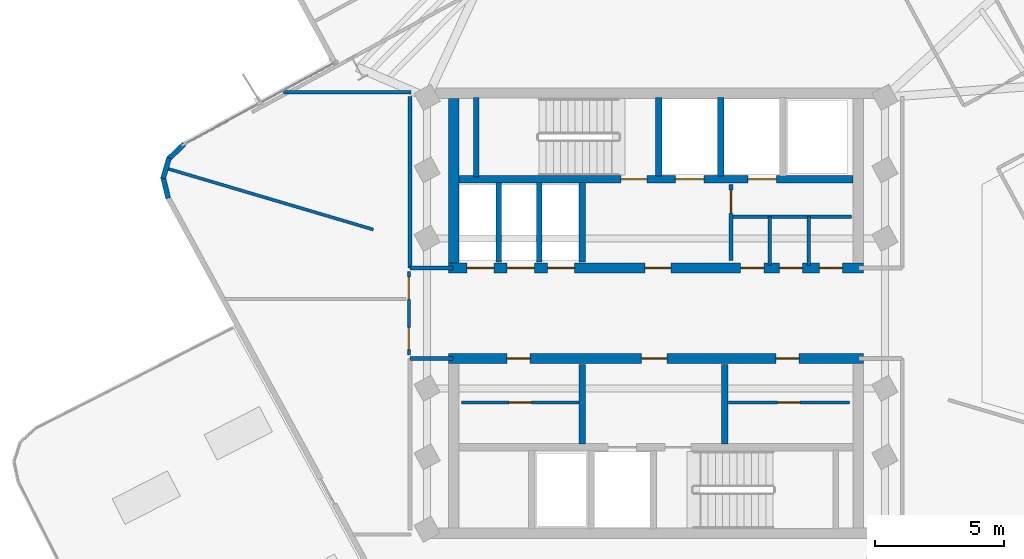
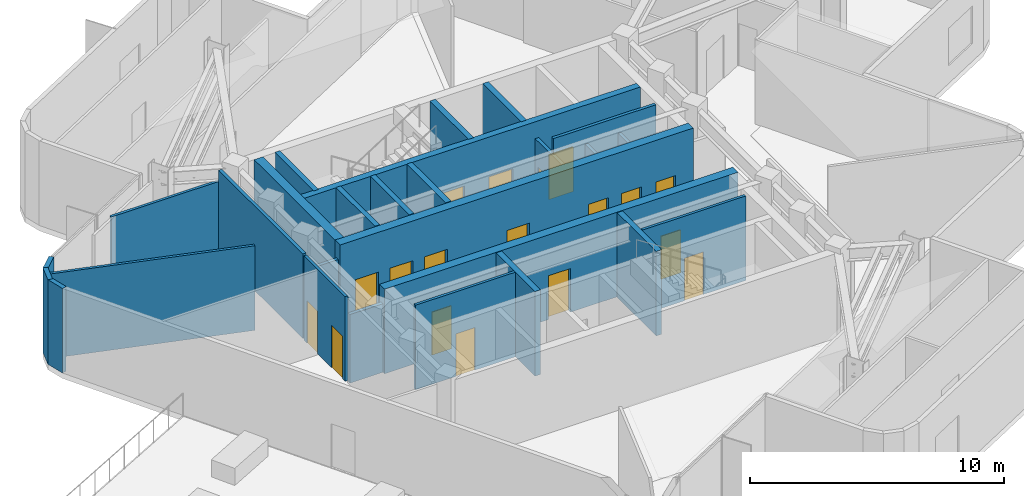
# One storey, part 4 of 10: 27 walls, 18 doors, 18 openings.
"""IFC4 building model written with IfcOpenShell, lengths in metres."""

from ifc_helpers import new_model, si_unit, direction, frame, frame_2d, origin, place, context, subcontext, project, spatial, rectangle, extrude, material, layer, layer_set, type_object, element, fill, save


model = new_model("IFC4")

# Units and contexts
model_context = context("Model", 3, precision=1e-05, world=origin(), true_north=direction((0.0, 1.0)))
body_context = subcontext(model_context, "Body", "Model", "MODEL_VIEW")
ifc_project = project(units=[si_unit("LENGTHUNIT", "METRE"), si_unit("AREAUNIT", "SQUARE_METRE"), si_unit("VOLUMEUNIT", "CUBIC_METRE"), si_unit("PLANEANGLEUNIT", "RADIAN"), si_unit("MASSUNIT", "GRAM", prefix="KILO")], contexts=[model_context])

# Site, building, storey
site_placement = place(None, origin())
site = spatial("IfcSite", under=ifc_project, at=site_placement, CompositionType="ELEMENT")
building_placement = place(site_placement, origin())
building = spatial("IfcBuilding", under=site, at=building_placement, Name="Solmarez Civic Tower", CompositionType="ELEMENT")
storey_placement = place(building_placement, frame((0.0, 0.0, 200.8798828125)))
storey = spatial("IfcBuildingStorey", under=building, at=storey_placement, Name="L53", CompositionType="ELEMENT", Elevation=200.8798828125)

# Wall, openings, doors
ifc_material_1 = material(Name="Concrete C50/60", Category="concrete")
ifc_layer_1 = layer(ifc_material_1, 0.39990234375)
ifc_layer_set_1 = layer_set([ifc_layer_1], Name="Concrete C50/60")
wall_type_1 = type_object("IfcWallType", Name="WALL-CORE-400", PredefinedType="SHEAR", material=ifc_layer_set_1)
wall_1_placement = place(storey_placement, frame((8.02001953125, 1.75, 0.0), z_axis=(0.0, 0.0, 1.0), x_axis=(-1.0, 0.0, 0.0)))
wall_1 = element("IfcWall", 1, at=wall_1_placement, inside=storey, type_object=wall_type_1, Name="L53 Split-Core Structural Wall NCW-S-L53", PredefinedType="SHEAR", context=body_context, shape_type="SweptSolid", body=[
    extrude(rectangle(XDim=16.0400390625, YDim=0.39990234375, at=frame_2d((8.02001953125, 0.0))), origin(), (0.0, 0.0, 1.0), 4.06005859375),
])
opening_1_placement = place(wall_1_placement, frame((7.449951171875, 0.0, 0.0)))
opening_1 = element("IfcOpeningElement", 2, at=opening_1_placement, cuts=wall_1, Name="Opening D-04", PredefinedType="OPENING", context=body_context, shape_type="SweptSolid", body=[
    extrude(rectangle(XDim=1.0, YDim=2.10009765625, at=frame_2d((0.5, 1.050048828125))), frame((0.0, 0.2099609375, 0.0), z_axis=(0.0, -1.0, 0.0), x_axis=(1.0, 0.0, 0.0)), (0.0, 0.0, 1.0), 0.419921875),
])
opening_2_placement = place(wall_1_placement, frame((14.284912109375, 0.0, 0.0)))
opening_2 = element("IfcOpeningElement", 3, at=opening_2_placement, cuts=wall_1, Name="Opening LD-01", PredefinedType="OPENING", context=body_context, shape_type="SweptSolid", body=[
    extrude(rectangle(XDim=1.050048828125, YDim=2.14990234375, at=frame_2d((0.52490234375, 1.074951171875))), frame((0.0, 0.2099609375, 0.0), z_axis=(0.0, -1.0, 0.0), x_axis=(1.0, 0.0, 0.0)), (0.0, 0.0, 1.0), 0.419921875),
])
opening_3_placement = place(wall_1_placement, frame((12.72509765625, 0.0, 0.0)))
opening_3 = element("IfcOpeningElement", 4, at=opening_3_placement, cuts=wall_1, Name="Opening LD-01", PredefinedType="OPENING", context=body_context, shape_type="SweptSolid", body=[
    extrude(rectangle(XDim=1.050048828125, YDim=2.14990234375, at=frame_2d((0.52490234375, 1.074951171875))), frame((0.0, 0.2099609375, 0.0), z_axis=(0.0, -1.0, 0.0), x_axis=(1.0, 0.0, 0.0)), (0.0, 0.0, 1.0), 0.419921875),
])
opening_4_placement = place(wall_1_placement, frame((11.1650390625, 0.0, 0.0)))
opening_4 = element("IfcOpeningElement", 5, at=opening_4_placement, cuts=wall_1, Name="Opening LD-01", PredefinedType="OPENING", context=body_context, shape_type="SweptSolid", body=[
    extrude(rectangle(XDim=1.050048828125, YDim=2.14990234375, at=frame_2d((0.52490234375, 1.074951171875))), frame((0.0, 0.2099609375, 0.0), z_axis=(0.0, -1.0, 0.0), x_axis=(1.0, 0.0, 0.0)), (0.0, 0.0, 1.0), 0.419921875),
])
opening_5_placement = place(wall_1_placement, frame((3.85009765625, 0.0, 0.0)))
opening_5 = element("IfcOpeningElement", 6, at=opening_5_placement, cuts=wall_1, Name="Opening D-09", PredefinedType="OPENING", context=body_context, shape_type="SweptSolid", body=[
    extrude(rectangle(XDim=0.89990234375, YDim=2.06005859375, at=frame_2d((0.449951171875, 1.030029296875))), frame((0.0, 0.2099609375, 0.0), z_axis=(0.0, -1.0, 0.0), x_axis=(1.0, 0.0, 0.0)), (0.0, 0.0, 1.0), 0.419921875),
])
opening_6_placement = place(wall_1_placement, frame((2.35009765625, 0.0, 0.0)))
opening_6 = element("IfcOpeningElement", 7, at=opening_6_placement, cuts=wall_1, Name="Opening D-09", PredefinedType="OPENING", context=body_context, shape_type="SweptSolid", body=[
    extrude(rectangle(XDim=0.89990234375, YDim=2.06005859375, at=frame_2d((0.449951171875, 1.030029296875))), frame((0.0, 0.2099609375, 0.0), z_axis=(0.0, -1.0, 0.0), x_axis=(1.0, 0.0, 0.0)), (0.0, 0.0, 1.0), 0.419921875),
])
opening_7_placement = place(wall_1_placement, frame((0.800048828125, 0.0, 0.0)))
opening_7 = element("IfcOpeningElement", 8, at=opening_7_placement, cuts=wall_1, Name="Opening D-09", PredefinedType="OPENING", context=body_context, shape_type="SweptSolid", body=[
    extrude(rectangle(XDim=0.89990234375, YDim=2.06005859375, at=frame_2d((0.449951171875, 1.030029296875))), frame((0.0, 0.2099609375, 0.0), z_axis=(0.0, -1.0, 0.0), x_axis=(1.0, 0.0, 0.0)), (0.0, 0.0, 1.0), 0.419921875),
])
ifc_material_2 = material(Name="Steel-Faced Acoustic Fire Door", Category="steel")
door_type_1 = type_object("IfcDoorType", Name="DOOR-FD60-1000", OperationType="NOTDEFINED", PredefinedType="DOOR", material=ifc_material_2)
door_1_placement = place(opening_1_placement, origin())
door_1 = element("IfcDoor", 9, at=door_1_placement, inside=storey, type_object=door_type_1, Name="L53 North Firefighting Lobby Door", OperationType="SINGLE_SWING_RIGHT", OverallHeight=2.10009765625, OverallWidth=1.0, PredefinedType="DOOR", context=body_context, shape_type="SweptSolid", body=[
    extrude(rectangle(XDim=1.0, YDim=2.10009765625, at=frame_2d((0.5, 1.050048828125))), frame((0.0, 0.02490234375, 0.0), z_axis=(0.0, -1.0, 0.0), x_axis=(1.0, 0.0, 0.0)), (0.0, 0.0, 1.0), 0.050048828125),
])
fill(opening_1, door_1)
ifc_material_3 = material(Name="Fire-Rated Service Core Door", Category="wood")
door_type_2 = type_object("IfcDoorType", Name="DOOR-FD60-900", OperationType="NOTDEFINED", PredefinedType="DOOR", material=ifc_material_3)
door_2_placement = place(opening_5_placement, origin())
door_2 = element("IfcDoor", 10, at=door_2_placement, inside=storey, type_object=door_type_2, Name="L53 Core WC Door", OperationType="SINGLE_SWING_RIGHT", OverallHeight=2.06005859375, OverallWidth=0.89990234375, PredefinedType="DOOR", context=body_context, shape_type="SweptSolid", body=[
    extrude(rectangle(XDim=0.89990234375, YDim=2.06005859375, at=frame_2d((0.449951171875, 1.030029296875))), frame((0.0, 0.02490234375, 0.0), z_axis=(0.0, -1.0, 0.0), x_axis=(1.0, 0.0, 0.0)), (0.0, 0.0, 1.0), 0.050048828125),
])
fill(opening_5, door_2)
door_3_placement = place(opening_6_placement, origin())
door_3 = element("IfcDoor", 11, at=door_3_placement, inside=storey, type_object=door_type_2, Name="L53 Core CL Door", OperationType="SINGLE_SWING_LEFT", OverallHeight=2.06005859375, OverallWidth=0.89990234375, PredefinedType="DOOR", context=body_context, shape_type="SweptSolid", body=[
    extrude(rectangle(XDim=0.89990234375, YDim=2.06005859375, at=frame_2d((0.449951171875, 1.030029296875))), frame((0.0, 0.02490234375, 0.0), z_axis=(0.0, -1.0, 0.0), x_axis=(1.0, 0.0, 0.0)), (0.0, 0.0, 1.0), 0.050048828125),
])
fill(opening_6, door_3)
door_4_placement = place(opening_7_placement, origin())
door_4 = element("IfcDoor", 12, at=door_4_placement, inside=storey, type_object=door_type_2, Name="L53 Core IT Door", OperationType="SINGLE_SWING_LEFT", OverallHeight=2.06005859375, OverallWidth=0.89990234375, PredefinedType="DOOR", context=body_context, shape_type="SweptSolid", body=[
    extrude(rectangle(XDim=0.89990234375, YDim=2.06005859375, at=frame_2d((0.449951171875, 1.030029296875))), frame((0.0, 0.02490234375, 0.0), z_axis=(0.0, -1.0, 0.0), x_axis=(1.0, 0.0, 0.0)), (0.0, 0.0, 1.0), 0.050048828125),
])
fill(opening_7, door_4)
ifc_material_4 = material(Name="Bronze Passenger Lift Landing Sliding Door", Category="aluminium")
door_type_3 = type_object("IfcDoorType", Name="DOOR-LD-PAX-1050", OperationType="DOUBLE_DOOR_SLIDING", PredefinedType="DOOR", material=ifc_material_4)
door_5_placement = place(opening_2_placement, origin())
door_5 = element("IfcDoor", 13, at=door_5_placement, inside=storey, type_object=door_type_3, Name="L53 High-Rise Lift Landing Door PL-H1", OperationType="DOUBLE_DOOR_SLIDING", OverallHeight=2.14990234375, OverallWidth=1.050048828125, PredefinedType="DOOR", context=body_context, shape_type="SweptSolid", body=[
    extrude(rectangle(XDim=1.050048828125, YDim=2.14990234375, at=frame_2d((0.52490234375, 1.074951171875))), frame((0.0, 0.02490234375, 0.0), z_axis=(0.0, -1.0, 0.0), x_axis=(1.0, 0.0, 0.0)), (0.0, 0.0, 1.0), 0.050048828125),
])
fill(opening_2, door_5)
door_6_placement = place(opening_3_placement, origin())
door_6 = element("IfcDoor", 14, at=door_6_placement, inside=storey, type_object=door_type_3, Name="L53 High-Rise Lift Landing Door PL-H2", OperationType="DOUBLE_DOOR_SLIDING", OverallHeight=2.14990234375, OverallWidth=1.050048828125, PredefinedType="DOOR", context=body_context, shape_type="SweptSolid", body=[
    extrude(rectangle(XDim=1.050048828125, YDim=2.14990234375, at=frame_2d((0.52490234375, 1.074951171875))), frame((0.0, 0.02490234375, 0.0), z_axis=(0.0, -1.0, 0.0), x_axis=(1.0, 0.0, 0.0)), (0.0, 0.0, 1.0), 0.050048828125),
])
fill(opening_3, door_6)
door_7_placement = place(opening_4_placement, origin())
door_7 = element("IfcDoor", 15, at=door_7_placement, inside=storey, type_object=door_type_3, Name="L53 High-Rise Lift Landing Door PL-H3", OperationType="DOUBLE_DOOR_SLIDING", OverallHeight=2.14990234375, OverallWidth=1.050048828125, PredefinedType="DOOR", context=body_context, shape_type="SweptSolid", body=[
    extrude(rectangle(XDim=1.050048828125, YDim=2.14990234375, at=frame_2d((0.52490234375, 1.074951171875))), frame((0.0, 0.02490234375, 0.0), z_axis=(0.0, -1.0, 0.0), x_axis=(1.0, 0.0, 0.0)), (0.0, 0.0, 1.0), 0.050048828125),
])
fill(opening_4, door_7)

# Wall
wall_2_placement = place(storey_placement, frame((-7.820068359375, 1.949951171875, 0.0), z_axis=(0.0, 0.0, 1.0), x_axis=(0.0, 1.0, 0.0)))
element("IfcWall", 16, at=wall_2_placement, inside=storey, type_object=wall_type_1, Name="L53 Split-Core Structural Wall NCW-W-L53", PredefinedType="SHEAR", context=body_context, shape_type="SweptSolid", body=[
    extrude(rectangle(XDim=6.360107421875, YDim=0.39990234375, at=frame_2d((3.18017578125, 0.0))), origin(), (0.0, 0.0, 1.0), 4.06005859375),
])

# Wall, openings, doors
wall_3_placement = place(storey_placement, frame((-8.02001953125, -1.75, 0.0), z_axis=(0.0, 0.0, 1.0), x_axis=(1.0, 0.0, 0.0)))
wall_3 = element("IfcWall", 17, at=wall_3_placement, inside=storey, type_object=wall_type_1, Name="L53 Split-Core Structural Wall SCW-N-L53", PredefinedType="SHEAR", context=body_context, shape_type="SweptSolid", body=[
    extrude(rectangle(XDim=16.0400390625, YDim=0.39990234375, at=frame_2d((8.02001953125, 0.0))), origin(), (0.0, 0.0, 1.0), 4.06005859375),
])
opening_8_placement = place(wall_3_placement, frame((7.449951171875, 0.0, 0.0)))
opening_8 = element("IfcOpeningElement", 18, at=opening_8_placement, cuts=wall_3, Name="Opening D-04", PredefinedType="OPENING", context=body_context, shape_type="SweptSolid", body=[
    extrude(rectangle(XDim=1.0, YDim=2.10009765625, at=frame_2d((0.5, 1.050048828125))), frame((0.0, 0.2099609375, 0.0), z_axis=(0.0, -1.0, 0.0), x_axis=(1.0, 0.0, 0.0)), (0.0, 0.0, 1.0), 0.419921875),
])
opening_9_placement = place(wall_3_placement, frame((12.64990234375, 0.0, 0.0)))
opening_9 = element("IfcOpeningElement", 19, at=opening_9_placement, cuts=wall_3, Name="Opening D-09", PredefinedType="OPENING", context=body_context, shape_type="SweptSolid", body=[
    extrude(rectangle(XDim=0.89990234375, YDim=2.06005859375, at=frame_2d((0.449951171875, 1.030029296875))), frame((0.0, 0.2099609375, 0.0), z_axis=(0.0, -1.0, 0.0), x_axis=(1.0, 0.0, 0.0)), (0.0, 0.0, 1.0), 0.419921875),
])
opening_10_placement = place(wall_3_placement, frame((2.25, 0.0, 0.0)))
opening_10 = element("IfcOpeningElement", 20, at=opening_10_placement, cuts=wall_3, Name="Opening D-09", PredefinedType="OPENING", context=body_context, shape_type="SweptSolid", body=[
    extrude(rectangle(XDim=0.89990234375, YDim=2.06005859375, at=frame_2d((0.449951171875, 1.030029296875))), frame((0.0, 0.2099609375, 0.0), z_axis=(0.0, -1.0, 0.0), x_axis=(1.0, 0.0, 0.0)), (0.0, 0.0, 1.0), 0.419921875),
])
door_8_placement = place(opening_8_placement, origin())
door_8 = element("IfcDoor", 21, at=door_8_placement, inside=storey, type_object=door_type_1, Name="L53 South Firefighting Lobby Door", OperationType="SINGLE_SWING_LEFT", OverallHeight=2.10009765625, OverallWidth=1.0, PredefinedType="DOOR", context=body_context, shape_type="SweptSolid", body=[
    extrude(rectangle(XDim=1.0, YDim=2.10009765625, at=frame_2d((0.5, 1.050048828125))), frame((0.0, 0.02490234375, 0.0), z_axis=(0.0, -1.0, 0.0), x_axis=(1.0, 0.0, 0.0)), (0.0, 0.0, 1.0), 0.050048828125),
])
fill(opening_8, door_8)
door_9_placement = place(opening_9_placement, origin())
door_9 = element("IfcDoor", 22, at=door_9_placement, inside=storey, type_object=door_type_2, Name="L53 Freed Hoistway Mailroom Door", OperationType="SINGLE_SWING_LEFT", OverallHeight=2.06005859375, OverallWidth=0.89990234375, PredefinedType="DOOR", context=body_context, shape_type="SweptSolid", body=[
    extrude(rectangle(XDim=0.89990234375, YDim=2.06005859375, at=frame_2d((0.449951171875, 1.030029296875))), frame((0.0, 0.02490234375, 0.0), z_axis=(0.0, -1.0, 0.0), x_axis=(1.0, 0.0, 0.0)), (0.0, 0.0, 1.0), 0.050048828125),
])
fill(opening_9, door_9)
door_10_placement = place(opening_10_placement, origin())
door_10 = element("IfcDoor", 23, at=door_10_placement, inside=storey, type_object=door_type_2, Name="L53 Staff Kitchenette Pantry Door", OperationType="SINGLE_SWING_RIGHT", OverallHeight=2.06005859375, OverallWidth=0.89990234375, PredefinedType="DOOR", context=body_context, shape_type="SweptSolid", body=[
    extrude(rectangle(XDim=0.89990234375, YDim=2.06005859375, at=frame_2d((0.449951171875, 1.030029296875))), frame((0.0, 0.02490234375, 0.0), z_axis=(0.0, -1.0, 0.0), x_axis=(1.0, 0.0, 0.0)), (0.0, 0.0, 1.0), 0.050048828125),
])
fill(opening_10, door_10)

# Walls
ifc_material_5 = material(Name="Precast concrete C40/50", Category="concrete")
ifc_layer_2 = layer(ifc_material_5, 0.199951171875)
ifc_layer_set_2 = layer_set([ifc_layer_2], Name="Precast concrete C40/50")
wall_type_2 = type_object("IfcWallType", Name="WALL-EXT-200", PredefinedType="SOLIDWALL", material=ifc_layer_set_2)
wall_4_placement = place(storey_placement, frame((-18.865966796875, 4.449951171875, 0.0), z_axis=(0.0, 0.0, 1.0), x_axis=(-0.233890685703, 0.972262900219, 0.0)))
element("IfcWall", 24, at=wall_4_placement, inside=storey, type_object=wall_type_2, Name="L53 Exterior Precast Wall 7", PredefinedType="SOLIDWALL", context=body_context, shape_type="SweptSolid", body=[
    extrude(rectangle(XDim=0.838134765625, YDim=0.199951171875, at=frame_2d((0.4189453125, 0.0))), origin(), (0.0, 0.0, 1.0), 4.06005859375),
])
wall_5_placement = place(storey_placement, frame((-19.06298828125, 5.217041015625, 0.0), z_axis=(0.0, 0.0, 1.0), x_axis=(0.283866368736, 0.958863850972, 0.0)))
element("IfcWall", 25, at=wall_5_placement, inside=storey, type_object=wall_type_2, Name="L53 Exterior Precast Wall 8", PredefinedType="SOLIDWALL", context=body_context, shape_type="SweptSolid", body=[
    extrude(rectangle(XDim=0.823974609375, YDim=0.199951171875, at=frame_2d((0.412109375, 0.0))), origin(), (0.0, 0.0, 1.0), 4.06005859375),
])
wall_6_placement = place(storey_placement, frame((-18.85400390625, 5.966064453125, 0.0), z_axis=(0.0, 0.0, 1.0), x_axis=(0.725362992084, 0.688366566384, 0.0)))
element("IfcWall", 26, at=wall_6_placement, inside=storey, type_object=wall_type_2, Name="L53 Exterior Precast Wall 9", PredefinedType="SOLIDWALL", context=body_context, shape_type="SweptSolid", body=[
    extrude(rectangle(XDim=0.838134765625, YDim=0.199951171875, at=frame_2d((0.4189453125, 0.0))), origin(), (0.0, 0.0, 1.0), 4.06005859375),
])
ifc_material_6 = material(Name="Gypsum Board Acoustic Steel-Stud Partition", Category="steel")
ifc_layer_3 = layer(ifc_material_6, 0.14990234375)
ifc_layer_set_3 = layer_set([ifc_layer_3], Name="Gypsum Board Acoustic Steel-Stud Partition")
wall_type_3 = type_object("IfcWallType", Name="WALL-INT-FIRE-150", PredefinedType="PARTITIONING", material=ifc_layer_set_3)
wall_7_placement = place(storey_placement, frame((-9.52001953125, 1.75, 0.0), z_axis=(0.0, 0.0, 1.0), x_axis=(0.0, 1.0, 0.0)))
element("IfcWall", 27, at=wall_7_placement, inside=storey, type_object=wall_type_3, Name="L53 Interior Partition CHW-L53-WN1", PredefinedType="PARTITIONING", context=body_context, shape_type="SweptSolid", body=[
    extrude(rectangle(XDim=6.6298828125, YDim=0.14990234375, at=frame_2d((3.31494140625, 0.0))), origin(), (0.0, 0.0, 1.0), 4.06005859375),
])
for number, where, z_axis, x_axis, name in (
    (28, (-7.85009765625, 1.75, 0.0), (0.0, 0.0, 1.0), (-1.0, 0.0, 0.0), "L53 Interior Partition CHW-L53-WN3"),
    (29, (-7.85009765625, -1.75, 0.0), (0.0, 0.0, 1.0), (-1.0, 0.0, 0.0), "L53 Interior Partition CHW-L53-WS3"),
):
    element("IfcWall", number, at=place(storey_placement, frame(where, z_axis=z_axis, x_axis=x_axis)), inside=storey, type_object=wall_type_3, Name=name, PredefinedType="PARTITIONING", context=body_context, shape_type="SweptSolid", body=[
        extrude(rectangle(XDim=1.669921875, YDim=0.14990234375, at=frame_2d((0.8349609375, 0.0))), origin(), (0.0, 0.0, 1.0), 3.2900390625),
    ])

# Wall, opening, door
ifc_layer_4 = layer(ifc_material_6, 0.1201171875)
ifc_layer_set_4 = layer_set([ifc_layer_4], Name="Gypsum Board Acoustic Steel-Stud Partition")
wall_type_4 = type_object("IfcWallType", Name="WALL-INT-PART-120", PredefinedType="PARTITIONING", material=ifc_layer_set_4)
wall_8_placement = place(storey_placement, frame((2.800048828125, -3.449951171875, 0.0), z_axis=(0.0, 0.0, 1.0), x_axis=(1.0, 0.0, 0.0)))
wall_8 = element("IfcWall", 30, at=wall_8_placement, inside=storey, type_object=wall_type_4, Name="L53 Interior Partition PT-FPLL-L53", PredefinedType="PARTITIONING", context=body_context, shape_type="SweptSolid", body=[
    extrude(rectangle(XDim=4.679931640625, YDim=0.1201171875, at=frame_2d((2.33984375, 0.0))), origin(), (0.0, 0.0, 1.0), 4.06005859375),
])
opening_11_placement = place(wall_8_placement, frame((1.89990234375, 0.0, 0.0)))
opening_11 = element("IfcOpeningElement", 31, at=opening_11_placement, cuts=wall_8, Name="Opening D-14", PredefinedType="OPENING", context=body_context, shape_type="SweptSolid", body=[
    extrude(rectangle(XDim=0.860107421875, YDim=2.0400390625, at=frame_2d((0.43017578125, 1.02001953125))), frame((0.0, 0.070068359375, 0.0), z_axis=(0.0, -1.0, 0.0), x_axis=(1.0, 0.0, 0.0)), (0.0, 0.0, 1.0), 0.14013671875),
])
ifc_material_7 = material(Name="Timber Storage and Pantry Door", Category="wood")
door_type_4 = type_object("IfcDoorType", Name="DOOR-INT-850", OperationType="NOTDEFINED", PredefinedType="DOOR", material=ifc_material_7)
door_11_placement = place(opening_11_placement, origin())
door_11 = element("IfcDoor", 32, at=door_11_placement, inside=storey, type_object=door_type_4, Name="L53 Records Filing Room Door", OperationType="SINGLE_SWING_LEFT", OverallHeight=2.0400390625, OverallWidth=0.860107421875, PredefinedType="DOOR", context=body_context, shape_type="SweptSolid", body=[
    extrude(rectangle(XDim=0.860107421875, YDim=2.0400390625, at=frame_2d((0.43017578125, 1.02001953125))), frame((0.0, 0.02490234375, 0.0), z_axis=(0.0, -1.0, 0.0), x_axis=(1.0, 0.0, 0.0)), (0.0, 0.0, 1.0), 0.050048828125),
])
fill(opening_11, door_11)

wall_9_placement = place(storey_placement, frame((-7.52001953125, -3.449951171875, 0.0), z_axis=(0.0, 0.0, 1.0), x_axis=(1.0, 0.0, 0.0)))
wall_9 = element("IfcWall", 33, at=wall_9_placement, inside=storey, type_object=wall_type_4, Name="L53 Interior Partition PT-FPLM-L53", PredefinedType="PARTITIONING", context=body_context, shape_type="SweptSolid", body=[
    extrude(rectangle(XDim=4.5400390625, YDim=0.1201171875, at=frame_2d((2.27001953125, 0.0))), origin(), (0.0, 0.0, 1.0), 4.06005859375),
])
opening_12_placement = place(wall_9_placement, frame((1.840087890625, 0.0, 0.0)))
opening_12 = element("IfcOpeningElement", 34, at=opening_12_placement, cuts=wall_9, Name="Opening D-14", PredefinedType="OPENING", context=body_context, shape_type="SweptSolid", body=[
    extrude(rectangle(XDim=0.860107421875, YDim=2.0400390625, at=frame_2d((0.43017578125, 1.02001953125))), frame((0.0, 0.070068359375, 0.0), z_axis=(0.0, -1.0, 0.0), x_axis=(1.0, 0.0, 0.0)), (0.0, 0.0, 1.0), 0.14013671875),
])
door_12_placement = place(opening_12_placement, origin())
door_12 = element("IfcDoor", 35, at=door_12_placement, inside=storey, type_object=door_type_4, Name="L53 Directorate Copy Office Door", OperationType="SINGLE_SWING_RIGHT", OverallHeight=2.0400390625, OverallWidth=0.860107421875, PredefinedType="DOOR", context=body_context, shape_type="SweptSolid", body=[
    extrude(rectangle(XDim=0.860107421875, YDim=2.0400390625, at=frame_2d((0.43017578125, 1.02001953125))), frame((0.0, 0.02490234375, 0.0), z_axis=(0.0, -1.0, 0.0), x_axis=(1.0, 0.0, 0.0)), (0.0, 0.0, 1.0), 0.050048828125),
])
fill(opening_12, door_12)

# Wall
wall_10_placement = place(storey_placement, frame((-14.39990234375, 8.550048828125, 0.0), z_axis=(0.0, 0.0, 1.0), x_axis=(1.0, 0.0, 0.0)))
element("IfcWall", 36, at=wall_10_placement, inside=storey, type_object=wall_type_4, Name="L53 Interior Partition PT-L53-WH-BN", PredefinedType="PARTITIONING", context=body_context, shape_type="SweptSolid", body=[
    extrude(rectangle(XDim=4.919921875, YDim=0.1201171875, at=frame_2d((2.4599609375, 0.0))), origin(), (0.0, 0.0, 1.0), 3.43017578125),
])

# Wall, openings, doors
wall_11_placement = place(storey_placement, frame((-9.56005859375, -1.6201171875, 0.0), z_axis=(0.0, 0.0, 1.0), x_axis=(0.0, 1.0, 0.0)))
wall_11 = element("IfcWall", 37, at=wall_11_placement, inside=storey, type_object=wall_type_4, Name="L53 Interior Partition PT-L53-WH-ENT", PredefinedType="PARTITIONING", context=body_context, shape_type="SweptSolid", body=[
    extrude(rectangle(XDim=3.240234375, YDim=0.1201171875, at=frame_2d((1.6201171875, 0.0))), origin(), (0.0, 0.0, 1.0), 4.06005859375),
])
opening_13_placement = place(wall_11_placement, frame((0.219970703125, 0.0, 0.0)))
opening_13 = element("IfcOpeningElement", 38, at=opening_13_placement, cuts=wall_11, Name="Opening D-14", PredefinedType="OPENING", context=body_context, shape_type="SweptSolid", body=[
    extrude(rectangle(XDim=0.860107421875, YDim=2.0400390625, at=frame_2d((0.43017578125, 1.02001953125))), frame((0.0, 0.070068359375, 0.0), z_axis=(0.0, -1.0, 0.0), x_axis=(1.0, 0.0, 0.0)), (0.0, 0.0, 1.0), 0.14013671875),
])
opening_14_placement = place(wall_11_placement, frame((2.159912109375, 0.0, 0.0)))
opening_14 = element("IfcOpeningElement", 39, at=opening_14_placement, cuts=wall_11, Name="Opening D-14", PredefinedType="OPENING", context=body_context, shape_type="SweptSolid", body=[
    extrude(rectangle(XDim=0.860107421875, YDim=2.0400390625, at=frame_2d((0.43017578125, 1.02001953125))), frame((0.0, 0.070068359375, 0.0), z_axis=(0.0, -1.0, 0.0), x_axis=(1.0, 0.0, 0.0)), (0.0, 0.0, 1.0), 0.14013671875),
])
door_13_placement = place(opening_13_placement, origin())
door_13 = element("IfcDoor", 40, at=door_13_placement, inside=storey, type_object=door_type_4, Name="L53 Security Control Room West Second Door", OperationType="SINGLE_SWING_RIGHT", OverallHeight=2.0400390625, OverallWidth=0.860107421875, PredefinedType="DOOR", context=body_context, shape_type="SweptSolid", body=[
    extrude(rectangle(XDim=0.860107421875, YDim=2.0400390625, at=frame_2d((0.43017578125, 1.02001953125))), frame((0.0, 0.02490234375, 0.0), z_axis=(0.0, -1.0, 0.0), x_axis=(1.0, 0.0, 0.0)), (0.0, 0.0, 1.0), 0.050048828125),
])
fill(opening_13, door_13)
door_14_placement = place(opening_14_placement, origin())
door_14 = element("IfcDoor", 41, at=door_14_placement, inside=storey, type_object=door_type_4, Name="L53 Public Law Reading Room West First Door", OperationType="SINGLE_SWING_LEFT", OverallHeight=2.0400390625, OverallWidth=0.860107421875, PredefinedType="DOOR", context=body_context, shape_type="SweptSolid", body=[
    extrude(rectangle(XDim=0.860107421875, YDim=2.0400390625, at=frame_2d((0.43017578125, 1.02001953125))), frame((0.0, 0.02490234375, 0.0), z_axis=(0.0, -1.0, 0.0), x_axis=(1.0, 0.0, 0.0)), (0.0, 0.0, 1.0), 0.050048828125),
])
fill(opening_14, door_14)

# Wall
wall_12_placement = place(storey_placement, frame((-10.930908203125, 3.238037109375, 0.0), z_axis=(0.0, 0.0, 1.0), x_axis=(-0.958847390296, 0.283921964845, 0.0)))
element("IfcWall", 42, at=wall_12_placement, inside=storey, type_object=wall_type_4, Name="L53 Interior Partition PT-L53-QDIV-2", PredefinedType="PARTITIONING", context=body_context, shape_type="SweptSolid", body=[
    extrude(rectangle(XDim=8.29443359375, YDim=0.1201171875, at=frame_2d((4.147216796875, 0.0))), origin(), (0.0, 0.0, 1.0), 4.06005859375),
])

# Wall, opening, door
ifc_layer_5 = layer(ifc_material_6, 0.159912109375)
ifc_layer_set_5 = layer_set([ifc_layer_5], Name="Gypsum Board Acoustic Steel-Stud Partition")
wall_type_5 = type_object("IfcWallType", Name="WALL-INT-SHAFT-160", PredefinedType="PARTITIONING", material=ifc_layer_set_5)
wall_13_placement = place(storey_placement, frame((2.89990234375, 2.0400390625, 0.0), z_axis=(0.0, 0.0, 1.0), x_axis=(0.0, 1.0, 0.0)))
wall_13 = element("IfcWall", 43, at=wall_13_placement, inside=storey, type_object=wall_type_5, Name="L53 Interior Partition SHW-NL2-L53", PredefinedType="PARTITIONING", context=body_context, shape_type="SweptSolid", body=[
    extrude(rectangle(XDim=2.93994140625, YDim=0.159912109375, at=frame_2d((1.469970703125, 0.0))), origin(), (0.0, 0.0, 1.0), 3.2900390625),
])
opening_15_placement = place(wall_13_placement, frame((1.820068359375, 0.0, 0.0)))
opening_15 = element("IfcOpeningElement", 44, at=opening_15_placement, cuts=wall_13, Name="Opening D-09", PredefinedType="OPENING", context=body_context, shape_type="SweptSolid", body=[
    extrude(rectangle(XDim=0.89990234375, YDim=2.06005859375, at=frame_2d((0.449951171875, 1.030029296875))), frame((0.0, 0.08984375, 0.0), z_axis=(0.0, -1.0, 0.0), x_axis=(1.0, 0.0, 0.0)), (0.0, 0.0, 1.0), 0.179931640625),
])
door_15_placement = place(opening_15_placement, origin())
door_15 = element("IfcDoor", 45, at=door_15_placement, inside=storey, type_object=door_type_2, Name="L53 Service Lift Lobby Door", OperationType="SINGLE_SWING_LEFT", OverallHeight=2.06005859375, OverallWidth=0.89990234375, PredefinedType="DOOR", context=body_context, shape_type="SweptSolid", body=[
    extrude(rectangle(XDim=0.89990234375, YDim=2.06005859375, at=frame_2d((0.449951171875, 1.030029296875))), frame((0.0, 0.02490234375, 0.0), z_axis=(0.0, -1.0, 0.0), x_axis=(1.0, 0.0, 0.0)), (0.0, 0.0, 1.0), 0.050048828125),
])
fill(opening_15, door_15)

# Walls
ifc_layer_6 = layer(ifc_material_6, 0.137939453125)
ifc_layer_set_6 = layer_set([ifc_layer_6], Name="Gypsum Board Acoustic Steel-Stud Partition")
wall_type_6 = type_object("IfcWallType", Name="WALL-INT-WET-140", PredefinedType="PARTITIONING", material=ifc_layer_set_6)
wall_14_placement = place(storey_placement, frame((2.89990234375, 3.739990234375, 0.0), z_axis=(0.0, 0.0, 1.0), x_axis=(1.0, 0.0, 0.0)))
element("IfcWall", 46, at=wall_14_placement, inside=storey, type_object=wall_type_6, Name="L53 Interior Partition SHW-SVH-L53", PredefinedType="PARTITIONING", context=body_context, shape_type="SweptSolid", body=[
    extrude(rectangle(XDim=4.650146484375, YDim=0.137939453125, at=frame_2d((2.3251953125, 0.0))), origin(), (0.0, 0.0, 1.0), 4.06005859375),
])
for number, where, z_axis, x_axis, name in (
    (47, (4.39990234375, 1.85009765625, 0.0), (0.0, 0.0, 1.0), (0.0, 1.0, 0.0), "L53 Interior Partition PT-NCSV1-L53"),
    (48, (5.89990234375, 1.85009765625, 0.0), (0.0, 0.0, 1.0), (0.0, 1.0, 0.0), "L53 Interior Partition PT-NCSV2-L53"),
):
    element("IfcWall", number, at=place(storey_placement, frame(where, z_axis=z_axis, x_axis=x_axis)), inside=storey, type_object=wall_type_6, Name=name, PredefinedType="PARTITIONING", context=body_context, shape_type="SweptSolid", body=[
        extrude(rectangle(XDim=1.889892578125, YDim=0.137939453125, at=frame_2d((0.94482421875, 0.0))), origin(), (0.0, 0.0, 1.0), 3.2900390625),
    ])

# Wall, openings, doors
ifc_layer_7 = layer(ifc_material_1, 0.300048828125)
ifc_layer_set_7 = layer_set([ifc_layer_7], Name="Concrete C50/60")
wall_type_7 = type_object("IfcWallType", Name="WALL-STR-300", PredefinedType="SOLIDWALL", material=ifc_layer_set_7)
wall_15_placement = place(storey_placement, frame((7.6201171875, 5.179931640625, 0.0), z_axis=(0.0, 0.0, 1.0), x_axis=(-1.0, 0.0, 0.0)))
wall_15 = element("IfcWall", 49, at=wall_15_placement, inside=storey, type_object=wall_type_7, Name="L53 Split-Core Structural Wall NCW-M-L53", PredefinedType="SOLIDWALL", context=body_context, shape_type="SweptSolid", body=[
    extrude(rectangle(XDim=15.240234375, YDim=0.300048828125, at=frame_2d((7.6201171875, 0.0))), origin(), (0.0, 0.0, 1.0), 4.06005859375),
])
opening_16_placement = place(wall_15_placement, frame((5.77001953125, 0.0, 0.0)))
opening_16 = element("IfcOpeningElement", 50, at=opening_16_placement, cuts=wall_15, Name="Opening LD-02", PredefinedType="OPENING", context=body_context, shape_type="SweptSolid", body=[
    extrude(rectangle(XDim=1.10009765625, YDim=2.14990234375, at=frame_2d((0.550048828125, 1.074951171875))), frame((0.0, 0.159912109375, 0.0), z_axis=(0.0, -1.0, 0.0), x_axis=(1.0, 0.0, 0.0)), (0.0, 0.0, 1.0), 0.320068359375),
])
opening_17_placement = place(wall_15_placement, frame((2.969970703125, 0.0, 0.0)))
opening_17 = element("IfcOpeningElement", 51, at=opening_17_placement, cuts=wall_15, Name="Opening LD-03", PredefinedType="OPENING", context=body_context, shape_type="SweptSolid", body=[
    extrude(rectangle(XDim=1.10009765625, YDim=2.14990234375, at=frame_2d((0.550048828125, 1.074951171875))), frame((0.0, 0.159912109375, 0.0), z_axis=(0.0, -1.0, 0.0), x_axis=(1.0, 0.0, 0.0)), (0.0, 0.0, 1.0), 0.320068359375),
])
opening_18_placement = place(wall_15_placement, frame((7.969970703125, 0.0, 0.0)))
opening_18 = element("IfcOpeningElement", 52, at=opening_18_placement, cuts=wall_15, Name="Opening D-05", PredefinedType="OPENING", context=body_context, shape_type="SweptSolid", body=[
    extrude(rectangle(XDim=1.0, YDim=2.10009765625, at=frame_2d((0.5, 1.050048828125))), frame((0.0, 0.159912109375, 0.0), z_axis=(0.0, -1.0, 0.0), x_axis=(1.0, 0.0, 0.0)), (0.0, 0.0, 1.0), 0.320068359375),
])
ifc_material_8 = material(Name="Fire-Rated Stairwell Exit Door", Category="wood")
door_type_5 = type_object("IfcDoorType", Name="DOOR-FD90-1000", OperationType="NOTDEFINED", PredefinedType="DOOR", material=ifc_material_8)
door_16_placement = place(opening_18_placement, origin())
door_16 = element("IfcDoor", 53, at=door_16_placement, inside=storey, type_object=door_type_5, Name="L53 North Exit Stair Door ST-1", OperationType="SINGLE_SWING_RIGHT", OverallHeight=2.10009765625, OverallWidth=1.0, PredefinedType="DOOR", context=body_context, shape_type="SweptSolid", body=[
    extrude(rectangle(XDim=1.0, YDim=2.10009765625, at=frame_2d((0.5, 1.050048828125))), frame((0.0, 0.02490234375, 0.0), z_axis=(0.0, -1.0, 0.0), x_axis=(1.0, 0.0, 0.0)), (0.0, 0.0, 1.0), 0.050048828125),
])
fill(opening_18, door_16)
ifc_material_9 = material(Name="Stainless Firefighting Lift Landing Sliding Door", Category="aluminium")
door_type_6 = type_object("IfcDoorType", Name="DOOR-LD-FF-1100", OperationType="DOUBLE_DOOR_SLIDING", PredefinedType="DOOR", material=ifc_material_9)
door_17_placement = place(opening_16_placement, origin())
door_17 = element("IfcDoor", 54, at=door_17_placement, inside=storey, type_object=door_type_6, Name="L53 Firefighting Lift Landing Door FFL-1", OperationType="DOUBLE_DOOR_SLIDING", OverallHeight=2.14990234375, OverallWidth=1.10009765625, PredefinedType="DOOR", context=body_context, shape_type="SweptSolid", body=[
    extrude(rectangle(XDim=1.10009765625, YDim=2.14990234375, at=frame_2d((0.550048828125, 1.074951171875))), frame((0.0, 0.02490234375, 0.0), z_axis=(0.0, -1.0, 0.0), x_axis=(1.0, 0.0, 0.0)), (0.0, 0.0, 1.0), 0.050048828125),
])
fill(opening_16, door_17)
ifc_material_10 = material(Name="Stainless Stretcher Lift Landing Sliding Door", Category="aluminium")
door_type_7 = type_object("IfcDoorType", Name="DOOR-LD-SV-1100", OperationType="DOUBLE_DOOR_SLIDING", PredefinedType="DOOR", material=ifc_material_10)
door_18_placement = place(opening_17_placement, origin())
door_18 = element("IfcDoor", 55, at=door_18_placement, inside=storey, type_object=door_type_7, Name="L53 Service Stretcher Lift Landing Door SVL-1", OperationType="DOUBLE_DOOR_SLIDING", OverallHeight=2.14990234375, OverallWidth=1.10009765625, PredefinedType="DOOR", context=body_context, shape_type="SweptSolid", body=[
    extrude(rectangle(XDim=1.10009765625, YDim=2.14990234375, at=frame_2d((0.550048828125, 1.074951171875))), frame((0.0, 0.02490234375, 0.0), z_axis=(0.0, -1.0, 0.0), x_axis=(1.0, 0.0, 0.0)), (0.0, 0.0, 1.0), 0.050048828125),
])
fill(opening_17, door_18)

# Walls
wall_16_placement = place(storey_placement, frame((-6.949951171875, 5.280029296875, 0.0), z_axis=(0.0, 0.0, 1.0), x_axis=(0.0, 1.0, 0.0)))
element("IfcWall", 56, at=wall_16_placement, inside=storey, type_object=wall_type_7, Name="L53 Split-Core Structural Wall SHW-NW-L53", PredefinedType="SOLIDWALL", context=body_context, shape_type="SweptSolid", body=[
    extrude(rectangle(XDim=3.06005859375, YDim=0.219970703125, at=frame_2d((1.530029296875, 0.0))), origin(), (0.0, 0.0, 1.0), 4.06005859375),
])
for number, where, z_axis, x_axis, name in (
    (57, (0.10009765625, 5.300048828125, 0.0), (0.0, 0.0, 1.0), (0.0, 1.0, 0.0), "L53 Split-Core Structural Wall SHW-N1-L53"),
    (58, (2.5, 5.300048828125, 0.0), (0.0, 0.0, 1.0), (0.0, 1.0, 0.0), "L53 Split-Core Structural Wall SHW-N2-L53"),
):
    element("IfcWall", number, at=place(storey_placement, frame(where, z_axis=z_axis, x_axis=x_axis)), inside=storey, type_object=wall_type_7, Name=name, PredefinedType="SOLIDWALL", context=body_context, shape_type="SweptSolid", body=[
        extrude(rectangle(XDim=3.0400390625, YDim=0.25, at=frame_2d((1.52001953125, 0.0))), origin(), (0.0, 0.0, 1.0), 4.06005859375),
    ])
for number, where, z_axis, x_axis, name in (
    (59, (-2.85009765625, 1.97998046875, 0.0), (0.0, 0.0, 1.0), (0.0, 1.0, 0.0), "L53 Split-Core Structural Wall SHW-NL1-L53"),
    (60, (-2.85009765625, -5.050048828125, 0.0), (0.0, 0.0, 1.0), (0.0, 1.0, 0.0), "L53 Split-Core Structural Wall SHW-SL1-L53"),
    (61, (2.64990234375, -5.050048828125, 0.0), (0.0, 0.0, 1.0), (0.0, 1.0, 0.0), "L53 Split-Core Structural Wall SHW-SL2-L53"),
):
    element("IfcWall", number, at=place(storey_placement, frame(where, z_axis=z_axis, x_axis=x_axis)), inside=storey, type_object=wall_type_7, Name=name, PredefinedType="SOLIDWALL", context=body_context, shape_type="SweptSolid", body=[
        extrude(rectangle(XDim=3.070068359375, YDim=0.25, at=frame_2d((1.53515625, 0.0))), origin(), (0.0, 0.0, 1.0), 4.06005859375),
    ])
for number, where, z_axis, x_axis, name in (
    (62, (-6.080078125, 1.97998046875, 0.0), (0.0, 0.0, 1.0), (0.0, 1.0, 0.0), "L53 Split-Core Structural Wall SHW-PLH-L53-1"),
    (63, (-4.52001953125, 1.97998046875, 0.0), (0.0, 0.0, 1.0), (0.0, 1.0, 0.0), "L53 Split-Core Structural Wall SHW-PLH-L53-2"),
):
    element("IfcWall", number, at=place(storey_placement, frame(where, z_axis=z_axis, x_axis=x_axis)), inside=storey, type_object=wall_type_7, Name=name, PredefinedType="SOLIDWALL", context=body_context, shape_type="SweptSolid", body=[
        extrude(rectangle(XDim=3.070068359375, YDim=0.219970703125, at=frame_2d((1.53515625, 0.0))), origin(), (0.0, 0.0, 1.0), 4.06005859375),
    ])

save(model, "model.ifc")
